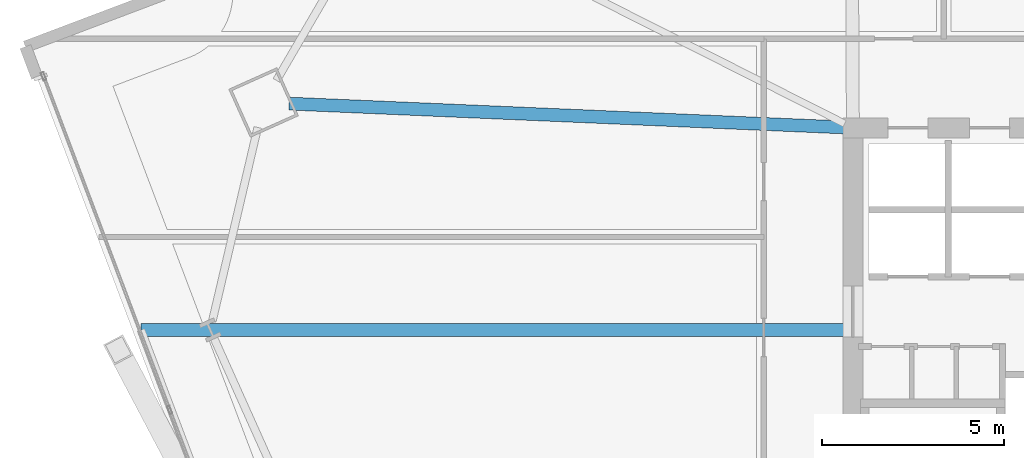
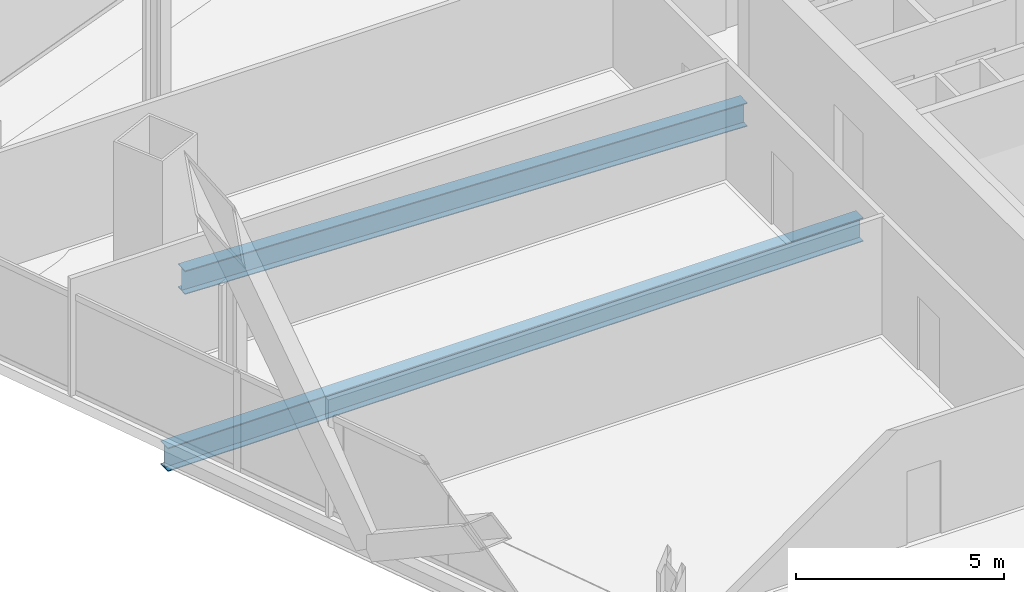
# One storey, part 17 of 37: 2 beams.
"""IFC4 building model written with IfcOpenShell, lengths in metres."""

from ifc_helpers import new_model, si_unit, direction, frame, origin, origin_2d, place, context, subcontext, project, spatial, i_section, extrude, material, material_profile, profile_set, type_object, element, save


model = new_model("IFC4")

# Units and contexts
model_context = context("Model", 3, precision=1e-05, world=origin(), true_north=direction((0.0, 1.0)))
body_context = subcontext(model_context, "Body", "Model", "MODEL_VIEW")
ifc_project = project(units=[si_unit("LENGTHUNIT", "METRE"), si_unit("AREAUNIT", "SQUARE_METRE"), si_unit("VOLUMEUNIT", "CUBIC_METRE"), si_unit("PLANEANGLEUNIT", "RADIAN"), si_unit("MASSUNIT", "GRAM", prefix="KILO")], contexts=[model_context])

# Site, building, storey
site_placement = place(None, origin())
site = spatial("IfcSite", under=ifc_project, at=site_placement, CompositionType="ELEMENT")
building_placement = place(site_placement, origin())
building = spatial("IfcBuilding", under=site, at=building_placement, Name="Haldenkirk Collegiate Tower", CompositionType="ELEMENT")
storey_placement = place(building_placement, frame((0.0, 0.0, 97.949951171875)))
storey = spatial("IfcBuildingStorey", under=building, at=storey_placement, Name="L23", CompositionType="ELEMENT", Elevation=97.949951171875)

# Beams
ifc_material = material(Name="Steel ASTM A992 Grade 50", Category="steel")
ifc_material_profile = material_profile(ifc_material, i_section(OverallWidth=0.35498046875, OverallDepth=0.696044921875, WebThickness=0.015380859375, FlangeThickness=0.02490234375, at=origin_2d()), Name="W27X146")
ifc_profile_set = profile_set([ifc_material_profile], Name="Steel ASTM A992 Grade 50")
beam_type = type_object("IfcBeamType", Name="BM-GIRDER-W27X146", PredefinedType="BEAM", material=ifc_profile_set)
beam_1_placement = place(storey_placement, frame((11.489990234375, 34.6650390625, -0.64794921875), z_axis=(0.999082162822, -0.042834938212, 0.0), x_axis=(0.042834938212, 0.999082162822, 0.0)))
element("IfcBeam", 1, at=beam_1_placement, inside=storey, type_object=beam_type, Name="L23 primary floor girder 04", PredefinedType="BEAM", context=body_context, shape_type="SweptSolid", body=[
    extrude(i_section(OverallWidth=0.35498046875, OverallDepth=0.696044921875, WebThickness=0.015380859375, FlangeThickness=0.02490234375, at=origin_2d()), origin(), (0.0, 0.0, 1.0), 15.26904296875),
])
beam_2_placement = place(storey_placement, frame((7.4130859375, 28.436767578125, -0.64794921875), z_axis=(1.0, 0.0, 0.0), x_axis=(0.0, 1.0, 0.0)))
element("IfcBeam", 2, at=beam_2_placement, inside=storey, type_object=beam_type, Name="L23 primary floor girder 14", PredefinedType="BEAM", context=body_context, shape_type="SweptSolid", body=[
    extrude(i_section(OverallWidth=0.35498046875, OverallDepth=0.696044921875, WebThickness=0.015380859375, FlangeThickness=0.02490234375, at=origin_2d()), origin(), (0.0, 0.0, 1.0), 19.33203125),
])

save(model, "model.ifc")
